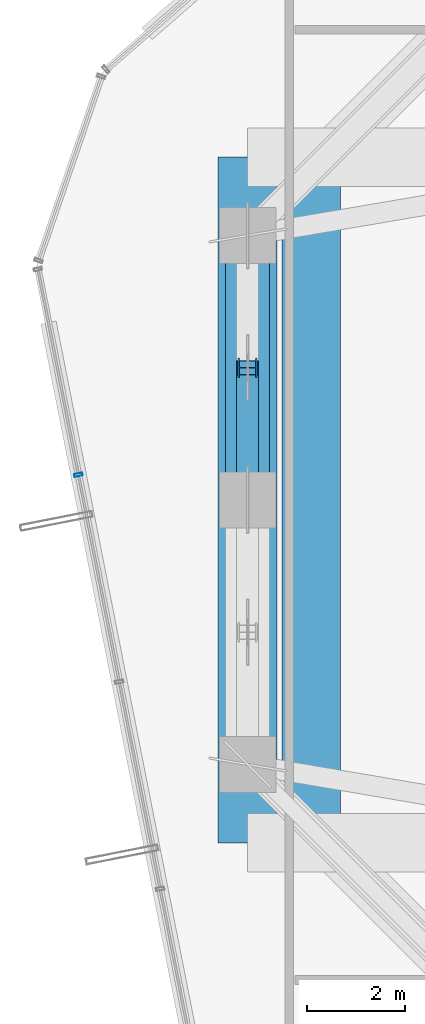
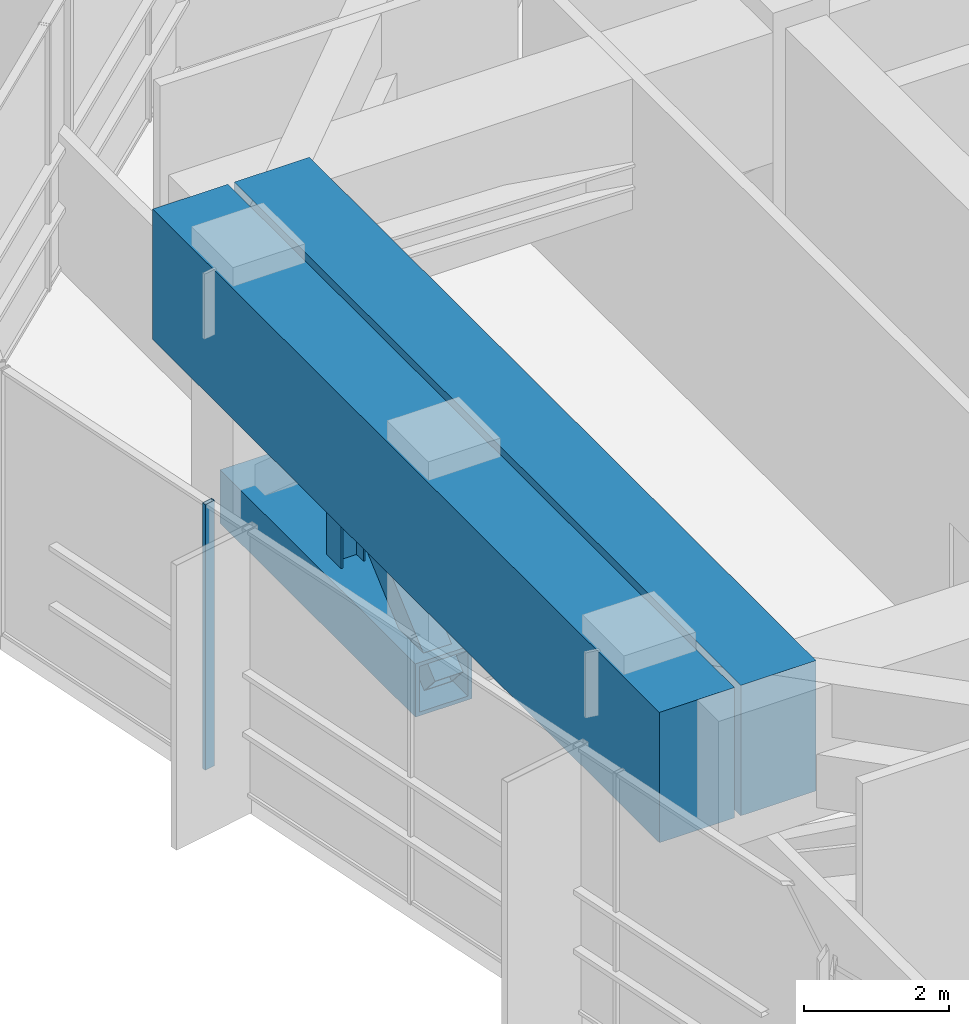
# One storey, part 12 of 36: 4 members, 2 beams, 1 element without a shape of its own.
"""IFC4 building model written with IfcOpenShell, lengths in metres."""

from ifc_helpers import new_model, si_unit, direction, frame, origin, origin_2d, place, context, subcontext, project, spatial, rectangle, hollow_rectangle, i_section, extrude, source, transform, mapped, material, layer, layer_set, material_profile, profile_set, type_object, element, aggregate, save


model = new_model("IFC4")

# Units and contexts
model_context = context("Model", 3, precision=1e-05, world=origin(), true_north=direction((0.0, 1.0)))
body_context = subcontext(model_context, "Body", "Model", "MODEL_VIEW")
ifc_project = project(units=[si_unit("LENGTHUNIT", "METRE"), si_unit("AREAUNIT", "SQUARE_METRE"), si_unit("VOLUMEUNIT", "CUBIC_METRE"), si_unit("PLANEANGLEUNIT", "RADIAN"), si_unit("MASSUNIT", "GRAM", prefix="KILO")], contexts=[model_context])

# Site, building, storey
site_placement = place(None, origin())
site = spatial("IfcSite", under=ifc_project, at=site_placement, CompositionType="ELEMENT")
building_placement = place(site_placement, origin())
building = spatial("IfcBuilding", under=site, at=building_placement, Name="Veraguas Prism Commons", CompositionType="ELEMENT")
storey_placement = place(building_placement, frame((0.0, 0.0, 169.550048828125)))
storey = spatial("IfcBuildingStorey", under=building, at=storey_placement, Name="L48", CompositionType="ELEMENT", Elevation=169.550048828125)

# Members
ifc_material_1 = material(Name="Steel ASTM A913 Grade 65", Category="steel")
ifc_material_profile_1 = material_profile(ifc_material_1, hollow_rectangle(XDim=0.89990234375, YDim=0.89990234375, WallThickness=0.06494140625, at=origin_2d()), Name="BOX900X900X65")
ifc_profile_set_1 = profile_set([ifc_material_profile_1], Name="Steel ASTM A913 Grade 65")
member_type_1 = type_object("IfcMemberType", Name="Belt Truss Chord L48 Box 900x900x65", PredefinedType="CHORD", material=ifc_profile_set_1)
member_1_placement = place(storey_placement, frame((7.800048828125, 29.39990234375, 0.550048828125), z_axis=(0.0, -1.0, 0.0), x_axis=(1.0, 0.0, 0.0)))
element("IfcMember", 1, at=member_1_placement, inside=storey, type_object=member_type_1, Name="Perimeter Belt Truss Chord Bottom L48-07", PredefinedType="CHORD", context=body_context, shape_type="SweptSolid", body=[
    extrude(hollow_rectangle(XDim=0.89990234375, YDim=0.89990234375, WallThickness=0.06494140625, at=origin_2d()), origin(), (0.0, 0.0, 1.0), 5.39990234375),
])
ifc_material_2 = material(Name="Steel ASTM A992 Grade 50", Category="steel")
ifc_material_profile_2 = material_profile(ifc_material_2, i_section(OverallWidth=0.39794921875, OverallDepth=0.386962890625, WebThickness=0.01904296875, FlangeThickness=0.0302734375, at=origin_2d()), Name="W360X262")
ifc_profile_set_2 = profile_set([ifc_material_profile_2], Name="Steel ASTM A992 Grade 50")
member_type_2 = type_object("IfcMemberType", Name="Belt Truss Vertical Strut W360x262", PredefinedType="STRUT", material=ifc_profile_set_2)
member_2_placement = place(storey_placement, frame((7.800048828125, 26.699951171875, 0.550048828125), z_axis=(0.0, 0.0, 1.0), x_axis=(0.0, -1.0, 0.0)))
element("IfcMember", 2, at=member_2_placement, inside=storey, type_object=member_type_2, Name="Perimeter Belt Truss Strut L48-07", PredefinedType="STRUT", context=body_context, shape_type="SweptSolid", body=[
    extrude(i_section(OverallWidth=0.39794921875, OverallDepth=0.386962890625, WebThickness=0.01904296875, FlangeThickness=0.0302734375, at=origin_2d()), origin(), (0.0, 0.0, 1.0), 2.3798828125),
])
ifc_material_3 = material(Name="Steel ASTM A500 Grade C", Category="steel")
ifc_material_profile_3 = material_profile(ifc_material_3, hollow_rectangle(XDim=0.449951171875, YDim=0.449951171875, WallThickness=0.02197265625, at=origin_2d()), Name="HSS450X450X22")
ifc_profile_set_3 = profile_set([ifc_material_profile_3], Name="Steel ASTM A500 Grade C")
member_type_3 = type_object("IfcMemberType", Name="Mid Belt Diagonal HSS 450x450x22", PredefinedType="BRACE", material=ifc_profile_set_3)
member_3_placement = place(storey_placement, frame((7.800048828125, 24.0, 0.550048828125), z_axis=(0.0, 0.75017230872, 0.661242396727), x_axis=(-1.0, 0.0, 0.0)))
element("IfcMember", 3, at=member_3_placement, inside=storey, type_object=member_type_3, Name="Perimeter Belt Truss Brace L48-07B", PredefinedType="BRACE", context=body_context, shape_type="SweptSolid", body=[
    extrude(hollow_rectangle(XDim=0.449951171875, YDim=0.449951171875, WallThickness=0.02197265625, at=origin_2d()), origin(), (0.0, 0.0, 1.0), 3.59912109375),
])

# Beams
ifc_material_4 = material(Name="Concrete C50/60", Category="concrete")
ifc_material_profile_4 = material_profile(ifc_material_4, rectangle(XDim=1.199951171875, YDim=2.199951171875, at=origin_2d()), Name="RC1200X2200")
ifc_profile_set_4 = profile_set([ifc_material_profile_4], Name="Concrete C50/60")
beam_type = type_object("IfcBeamType", Name="Podium Transfer Girder RC 1200x2200", PredefinedType="BEAM", material=ifc_profile_set_4)
for number, where, z_axis, x_axis, name in (
    (4, (7.800048828125, 17.0, 3.3798828125), (0.0, 1.0, 0.0), (-1.0, 0.0, 0.0), "West Outer Edge Transfer Girder L48"),
    (5, (9.10009765625, 17.0, 3.3798828125), (0.0, 1.0, 0.0), (-1.0, 0.0, 0.0), "West Setback Transfer Girder L48"),
):
    element("IfcBeam", number, at=place(storey_placement, frame(where, z_axis=z_axis, x_axis=x_axis)), inside=storey, type_object=beam_type, Name=name, PredefinedType="BEAM", context=body_context, shape_type="SweptSolid", body=[
        extrude(rectangle(XDim=1.199951171875, YDim=2.199951171875, at=origin_2d()), origin(), (0.0, 0.0, 1.0), 14.0),
    ])

# Curtain wall, member
ifc_material_5 = material(Name="Anodised aluminium EN AW-6063 T6", Category="aluminium")
ifc_layer = layer(ifc_material_5, 0.169921875, Name="Unitised Flush Curtain Wall Zone 2", Category="aluminium")
ifc_layer_set = layer_set([ifc_layer], Name="Anodised aluminium EN AW-6063 T6")
curtain_wall_type = type_object("IfcCurtainWallType", Name="Unitised Flush Curtain Wall Zone 2", PredefinedType="NOTDEFINED", material=ifc_layer_set)
curtain_wall_placement = place(storey_placement, origin())
curtain_wall = element("IfcCurtainWall", 6, at=curtain_wall_placement, inside=storey, type_object=curtain_wall_type, Name="Tower Facade Curtain Wall L48-F3", PredefinedType="NOTDEFINED")
ifc_material_profile_5 = material_profile(ifc_material_5, hollow_rectangle(XDim=0.06005859375, YDim=0.169921875, WallThickness=0.00390625, at=origin_2d()), Name="AL60X170X4")
ifc_profile_set_5 = profile_set([ifc_material_profile_5], Name="Anodised aluminium EN AW-6063 T6")
member_type_4 = type_object("IfcMemberType", Name="Curtain Wall Mullion Lower AL 60x170x4", PredefinedType="MULLION", material=ifc_profile_set_5)
shared_shape = source(origin(), body_context, "Body", "SweptSolid", [
    extrude(hollow_rectangle(XDim=0.06005859375, YDim=0.169921875, WallThickness=0.00390625, at=origin_2d()), origin(), (0.0, 0.0, 1.0), 4.47998046875),
])
member_4_placement = place(storey_placement, frame((4.346435546875, 24.514404296875, 0.0), z_axis=(0.0, 0.0, 1.0), x_axis=(0.193549468051, -0.981090517443, 0.0)))
member_4 = element("IfcMember", 7, at=member_4_placement, type_object=member_type_4, Name="CW-Z2 Mullion 2", PredefinedType="MULLION", context=body_context, shape_type="MappedRepresentation", body=[
    mapped(shared_shape, transform((0.0, 0.0, 0.0), scale=1.0)),
])
aggregate(curtain_wall, [member_4])

save(model, "model.ifc")
